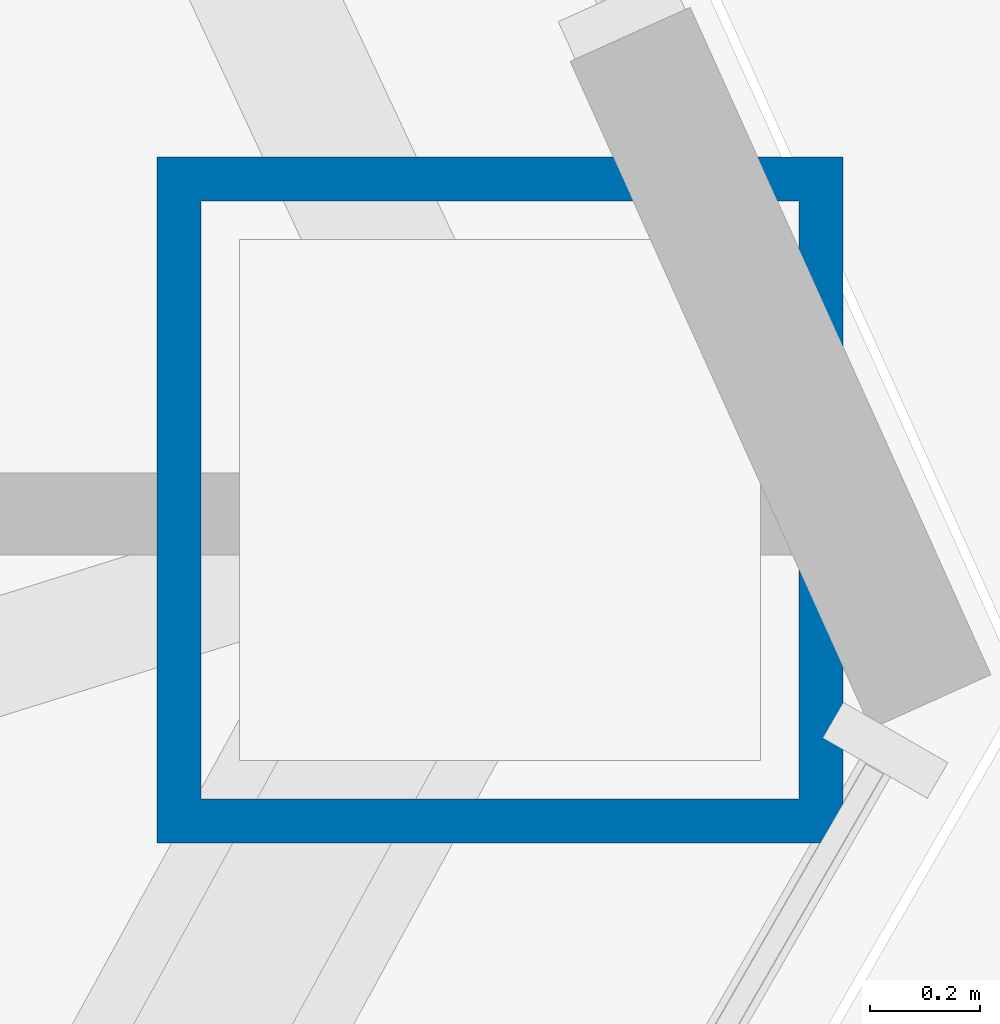
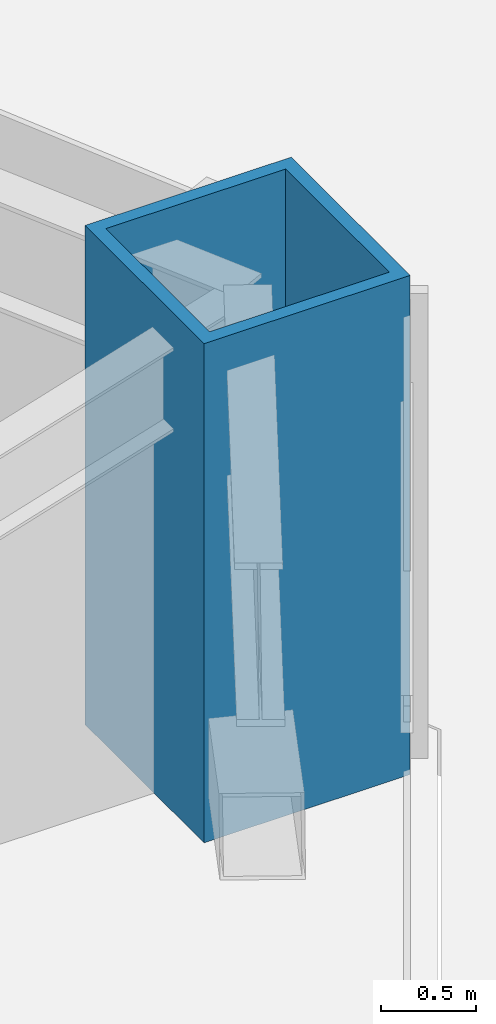
# One storey, part 4 of 17: 1 column.
"""IFC4 building model written with IfcOpenShell, lengths in metres."""

from ifc_helpers import new_model, si_unit, direction, frame, origin, origin_2d, place, context, subcontext, project, spatial, hollow_rectangle, extrude, material, material_profile, profile_set, type_object, element, save


model = new_model("IFC4")

# Units and contexts
model_context = context("Model", 3, precision=1e-05, world=origin(), true_north=direction((0.0, 1.0)))
body_context = subcontext(model_context, "Body", "Model", "MODEL_VIEW")
ifc_project = project(units=[si_unit("LENGTHUNIT", "METRE"), si_unit("AREAUNIT", "SQUARE_METRE"), si_unit("VOLUMEUNIT", "CUBIC_METRE"), si_unit("PLANEANGLEUNIT", "RADIAN"), si_unit("MASSUNIT", "GRAM", prefix="KILO")], contexts=[model_context])

# Site, building, storey
site_placement = place(None, origin())
site = spatial("IfcSite", under=ifc_project, at=site_placement, CompositionType="ELEMENT")
building_placement = place(site_placement, origin())
building = spatial("IfcBuilding", under=site, at=building_placement, Name="Varakhsha Concourse Tower", CompositionType="ELEMENT")
storey_placement = place(building_placement, frame((0.0, 0.0, 27.199951171875)))
storey = spatial("IfcBuildingStorey", under=building, at=storey_placement, Name="L06", CompositionType="ELEMENT", Elevation=27.199951171875)

# Column
ifc_material = material(Name="Structural Steel ASTM A572 Grade 50", Category="steel")
ifc_material_profile = material_profile(ifc_material, hollow_rectangle(XDim=1.25, YDim=1.25, WallThickness=0.080078125, at=origin_2d()), Name="BOX 1250x1250x80")
ifc_profile_set = profile_set([ifc_material_profile], Name="Structural Steel ASTM A572 Grade 50")
column_type = type_object("IfcColumnType", Name="CL-TUBE-1250", PredefinedType="COLUMN", material=ifc_profile_set)
column_placement = place(storey_placement, frame((67.697265625, 14.125732421875, 0.0), z_axis=(0.0, 0.0, 1.0), x_axis=(1.0, 0.0, 0.0)))
element("IfcColumn", 1, at=column_placement, inside=storey, type_object=column_type, Name="L06 Framed-Tube Column TC15", PredefinedType="COLUMN", context=body_context, shape_type="SweptSolid", body=[
    extrude(hollow_rectangle(XDim=1.25, YDim=1.25, WallThickness=0.080078125, at=origin_2d()), origin(), (0.0, 0.0, 1.0), 3.199951171875),
])

save(model, "model.ifc")
